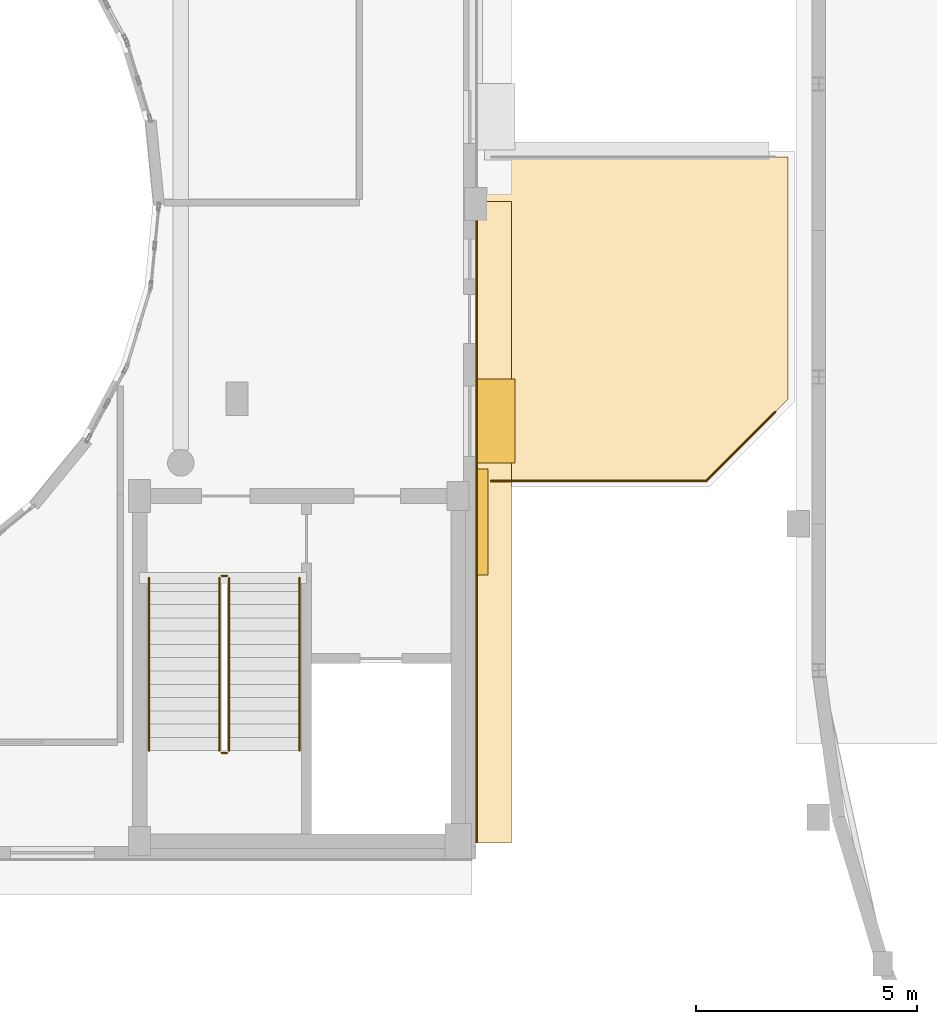
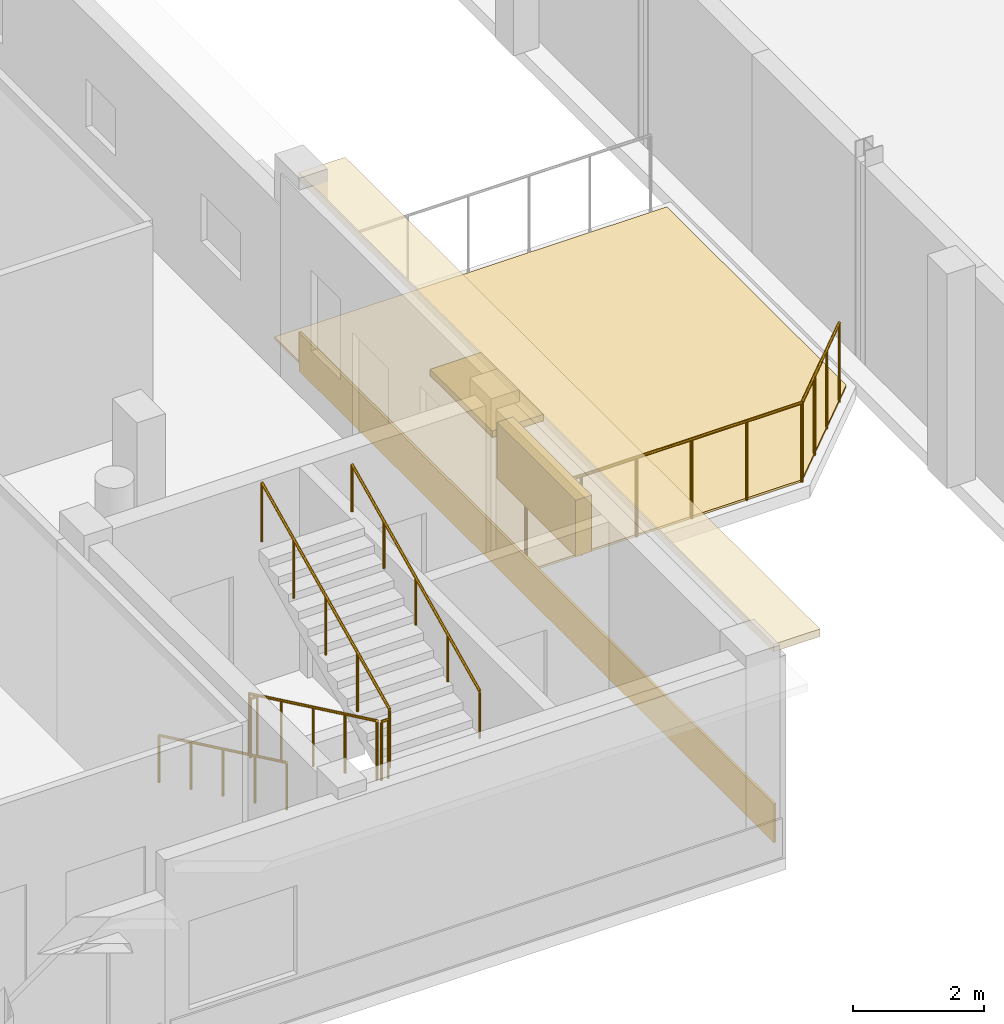
# One storey, part 82 of 89: 7 railings, 3 coverings, 2 shading devices.
"""IFC4 building model written with IfcOpenShell, lengths in metres."""

import ifcopenshell
import ifcopenshell.guid

model = None  # the IFC model being written
_history = None  # IfcOwnerHistory: only IFC2X3 demands one
_inside = {}  # id of a spatial element -> (the spatial element, [elements in it])
_under = {}  # id of a project, library or spatial element -> (it, [spatial elements below it])
_declared = {}  # id of a project -> (the project, [libraries it declares])
_typed = {}  # id of a type object -> (the type object, [elements of that type])
_made_of = {}  # id of a material, layer set ... -> (it, [elements and type objects made of it])


def new_model(schema):
    """Start an empty IFC model of exactly this schema.

    Asked for "IFC4X3", IfcOpenShell would pick the latest addendum, in which some entities
    have other attributes; the version numbers below select the first issue.
    IFC2X3 requires an IfcOwnerHistory on every rooted entity: one is made here for all.
    """
    global model, _history
    if schema == "IFC4X3":
        model = ifcopenshell.file(schema_version=(4, 3, 0, 0))
    else:
        model = ifcopenshell.file(schema=schema)
    _inside.clear()
    _under.clear()
    _declared.clear()
    _typed.clear()
    _made_of.clear()
    _history = None
    if model.schema == "IFC2X3":
        org = make("IfcOrganization", Name="unknown")
        user = make(
            "IfcPersonAndOrganization",
            ThePerson=make("IfcPerson", FamilyName="unknown"),
            TheOrganization=org,
        )
        app = make(
            "IfcApplication",
            ApplicationDeveloper=org,
            Version="unknown",
            ApplicationFullName="unknown",
            ApplicationIdentifier="unknown",
        )
        _history = make(
            "IfcOwnerHistory",
            OwningUser=user,
            OwningApplication=app,
            ChangeAction="ADDED",
            CreationDate=0,
        )
    return model


def make(cls, **values):
    """One entity of the class cls with the attributes given. An attribute that is None is left unset."""
    return model.create_entity(
        cls, **{name: value for name, value in values.items() if value is not None}
    )


def rooted(cls, **values):
    """An entity with a GlobalId (a new one), such as an element, a storey or a relation."""
    return make(cls, GlobalId=ifcopenshell.guid.new(), OwnerHistory=_history, **values)


def si_unit(unit_type, name, prefix=None):
    """IfcSIUnit, for example si_unit("LENGTHUNIT", "METRE", prefix="MILLI")."""
    return make("IfcSIUnit", UnitType=unit_type, Prefix=prefix, Name=name)


def assignment(units):
    """IfcUnitAssignment: the units of a project."""
    return None if units is None else make("IfcUnitAssignment", Units=units)


def point(xyz):
    """IfcCartesianPoint."""
    return None if xyz is None else make("IfcCartesianPoint", Coordinates=xyz)


def direction(xyz):
    """IfcDirection."""
    return None if xyz is None else make("IfcDirection", DirectionRatios=xyz)


def frame(location, z_axis=None, x_axis=None):
    """IfcAxis2Placement3D, a coordinate frame: its origin and axes. An axis left out is left unset."""
    return make(
        "IfcAxis2Placement3D",
        Location=point(location),
        Axis=direction(z_axis),
        RefDirection=direction(x_axis),
    )


def frame_2d(location, x_axis=None):
    """IfcAxis2Placement2D, a coordinate frame in the plane: its origin and x axis."""
    return make(
        "IfcAxis2Placement2D", Location=point(location), RefDirection=direction(x_axis)
    )


def origin():
    """The frame at (0, 0, 0) with its axes left unset."""
    return frame((0.0, 0.0, 0.0))


def origin_2d():
    """The frame at (0, 0) in the plane with its x axis left unset."""
    return frame_2d((0.0, 0.0))


def place(relative_to, where):
    """IfcLocalPlacement: puts the frame where relative to a parent placement (None: the world)."""
    return make(
        "IfcLocalPlacement", PlacementRelTo=relative_to, RelativePlacement=where
    )


def context(
    kind, dimensions, precision=None, world=None, true_north=None, identifier=None
):
    """IfcGeometricRepresentationContext, for example the 3D "Model" context."""
    return make(
        "IfcGeometricRepresentationContext",
        ContextIdentifier=identifier,
        ContextType=kind,
        CoordinateSpaceDimension=dimensions,
        Precision=precision,
        WorldCoordinateSystem=world,
        TrueNorth=true_north,
    )


def subcontext(parent, identifier, kind, view, scale=None):
    """IfcGeometricRepresentationSubContext, for example "Body" below "Model"."""
    return make(
        "IfcGeometricRepresentationSubContext",
        ContextIdentifier=identifier,
        ContextType=kind,
        ParentContext=parent,
        TargetScale=scale,
        TargetView=view,
    )


def project(units=None, contexts=None):
    """IfcProject with its units and contexts."""
    return rooted(
        "IfcProject",
        Name="project",
        RepresentationContexts=contexts,
        UnitsInContext=assignment(units),
    )


def spatial(cls, under=None, at=None, **own):
    """A site, building, storey or space (cls), placed at a placement, below another one or the project."""
    s = rooted(cls, ObjectPlacement=at, **own)
    if under is not None:
        _under.setdefault(under.id(), (under, []))[1].append(s)
    return s


def polyline(points):
    """IfcPolyline through the points."""
    return make("IfcPolyline", Points=[point(p) for p in points])


def profile(cls, at=None, kind="AREA", **sizes):
    """A parametric profile (cls). Its sizes go by their IFC names, for example OverallWidth=200.0."""
    return make(cls, ProfileType=kind, Position=at, **sizes)


def rectangle(**sizes):
    """IfcRectangleProfileDef."""
    return profile("IfcRectangleProfileDef", **sizes)


def circle(**sizes):
    """IfcCircleProfileDef."""
    return profile("IfcCircleProfileDef", **sizes)


def outline(outer, holes=None, kind="AREA"):
    """IfcArbitraryClosedProfileDef: a profile drawn as a closed curve; with holes, ...WithVoids."""
    if holes is None:
        return make("IfcArbitraryClosedProfileDef", ProfileType=kind, OuterCurve=outer)
    return make(
        "IfcArbitraryProfileDefWithVoids",
        ProfileType=kind,
        OuterCurve=outer,
        InnerCurves=holes,
    )


def extrude(swept, where, along, depth):
    """IfcExtrudedAreaSolid: the profile swept, set in the frame where, extruded along a direction by depth."""
    return make(
        "IfcExtrudedAreaSolid",
        SweptArea=swept,
        Position=where,
        ExtrudedDirection=direction(along),
        Depth=depth,
    )


def shape(context_of_items, identifier, shape_type, items):
    """IfcShapeRepresentation: the items that make up one representation, for example the "Body"."""
    return make(
        "IfcShapeRepresentation",
        ContextOfItems=context_of_items,
        RepresentationIdentifier=identifier,
        RepresentationType=shape_type,
        Items=items,
    )


def material(Name=None, Category=None):
    """IfcMaterial."""
    return make("IfcMaterial", Name=Name, Category=Category)


def layer(
    of_material, thickness, ventilated=None, Name=None, Category=None, Priority=None
):
    """IfcMaterialLayer: one layer of a wall or slab, of a material (None: an air gap)."""
    return make(
        "IfcMaterialLayer",
        Material=of_material,
        LayerThickness=thickness,
        IsVentilated=ventilated,
        Name=Name,
        Category=Category,
        Priority=Priority,
    )


def layer_set(layers, Name=None):
    """IfcMaterialLayerSet."""
    return make("IfcMaterialLayerSet", MaterialLayers=layers, LayerSetName=Name)


def made_of(thing, what):
    """Note that an element or type object is made of a material, layer set ...; save() writes the relation."""
    if what is not None:
        _made_of.setdefault(what.id(), (what, []))[1].append(thing)
    return thing


def type_object(cls, material=None, **own):
    """A type object (cls), such as IfcWallType, which elements share."""
    return made_of(rooted(cls, **own), material)


def element(
    cls,
    number,
    at=None,
    inside=None,
    cuts=None,
    type_object=None,
    material=None,
    context=None,
    identifier="Body",
    shape_type=None,
    held_by="IfcProductDefinitionShape",
    body=None,
    shapes=None,
    **own,
):
    """One element of the class cls, such as IfcWall. Its Tag is "e" and its number.

    at: its placement. inside: the storey or other place that contains it. cuts: it is an
    opening in that element (IfcRelVoidsElement). A single representation is given by context,
    identifier, shape_type and body (its items); several are given by shapes. held_by: the class
    of the entity that holds the representations. save() writes the other relations.
    """
    e = rooted(cls, Tag="e%d" % number, ObjectPlacement=at, **own)
    if body is not None:
        shapes = [shape(context, identifier, shape_type, body)]
    if shapes is not None:
        e.Representation = make(held_by, Representations=shapes)
    if inside is not None:
        _inside.setdefault(inside.id(), (inside, []))[1].append(e)
    if cuts is not None:
        rooted(
            "IfcRelVoidsElement", RelatingBuildingElement=cuts, RelatedOpeningElement=e
        )
    if type_object is not None:
        _typed.setdefault(type_object.id(), (type_object, []))[1].append(e)
    return made_of(e, material)


def aggregate(whole, parts):
    """IfcRelAggregates: a whole, such as a stair, and the parts it consists of."""
    return rooted("IfcRelAggregates", RelatingObject=whole, RelatedObjects=parts)


def save(model, path):
    """Write the relations noted so far, then the file.

    IfcRelAggregates (storeys below a building ...), IfcRelContainedInSpatialStructure (elements
    in a storey), IfcRelDefinesByType, IfcRelAssociatesMaterial and IfcRelDeclares: one each for
    every whole, place, type object, material and project.
    """
    for whole, parts in _under.values():
        aggregate(whole, parts)
    for where, things in _inside.values():
        rooted(
            "IfcRelContainedInSpatialStructure",
            RelatedElements=things,
            RelatingStructure=where,
        )
    for kind, things in _typed.values():
        rooted("IfcRelDefinesByType", RelatedObjects=things, RelatingType=kind)
    for what, things in _made_of.values():
        rooted("IfcRelAssociatesMaterial", RelatedObjects=things, RelatingMaterial=what)
    for by, libraries in _declared.values():
        rooted("IfcRelDeclares", RelatingContext=by, RelatedDefinitions=libraries)
    model.write(path)


model = new_model("IFC4")

# Units and contexts
model_context = context("Model", 3, precision=1e-05, world=origin(), true_north=direction((0.0, 1.0)))
body_context = subcontext(model_context, "Body", "Model", "MODEL_VIEW")
ifc_project = project(units=[si_unit("LENGTHUNIT", "METRE"), si_unit("AREAUNIT", "SQUARE_METRE"), si_unit("VOLUMEUNIT", "CUBIC_METRE"), si_unit("PLANEANGLEUNIT", "RADIAN"), si_unit("MASSUNIT", "GRAM", prefix="KILO")], contexts=[model_context])

# Site, building, storey
site_placement = place(None, origin())
site = spatial("IfcSite", under=ifc_project, at=site_placement, CompositionType="ELEMENT")
building_placement = place(site_placement, origin())
building = spatial("IfcBuilding", under=site, at=building_placement, Name="Kelanivale Promenade Academy", CompositionType="ELEMENT")
storey_placement = place(building_placement, frame((0.0, 0.0, 12.199951171875)))
storey = spatial("IfcBuildingStorey", under=building, at=storey_placement, Name="L03", CompositionType="ELEMENT", Elevation=12.199951171875)

# Coverings
ifc_material_1 = material(Name="Warm ivory Art Deco stucco frieze band 40 mm", Category="masonry")
ifc_layer_1 = layer(ifc_material_1, 0.0400390625)
ifc_layer_set_1 = layer_set([ifc_layer_1], Name="Warm ivory Art Deco stucco frieze band 40 mm")
covering_type_1 = type_object("IfcCoveringType", Name="COV-CLD2 Warm ivory Art Deco stucco frieze ba", PredefinedType="CLADDING", material=ifc_layer_set_1)
covering_1_placement = place(storey_placement, frame((116.0, 49.610107421875, 3.6201171875), z_axis=(0.0, 0.0, 1.0), x_axis=(0.0, 1.0, 0.0)))
element("IfcCovering", 1, at=covering_1_placement, inside=storey, type_object=covering_type_1, Name="Art Deco projecting 820 mm streamline sunshade eyebrow ledge", PredefinedType="CLADDING", context=body_context, shape_type="SweptSolid", body=[
    extrude(rectangle(XDim=14.5, YDim=0.820068359375, at=origin_2d()), origin(), (0.0, 0.0, 1.0), 0.139892578125),
])
covering_2_placement = place(storey_placement, frame((115.614990234375, 49.610107421875, 0.06005859375), z_axis=(0.0, 0.0, 1.0), x_axis=(0.0, 1.0, 0.0)))
element("IfcCovering", 2, at=covering_2_placement, inside=storey, type_object=covering_type_1, Name="Art Deco ivory stucco sill frieze band", PredefinedType="CLADDING", context=body_context, shape_type="SweptSolid", body=[
    extrude(rectangle(XDim=14.5, YDim=0.0400390625, at=origin_2d()), origin(), (0.0, 0.0, 1.0), 0.719970703125),
])
ifc_material_2 = material(Name="Impact-absorbing EPDM rooftop Play Deck surfacing 40 mm", Category="masonry")
ifc_layer_2 = layer(ifc_material_2, 0.0400390625)
ifc_layer_set_2 = layer_set([ifc_layer_2], Name="Impact-absorbing EPDM rooftop Play Deck surfacing 40 mm")
covering_type_2 = type_object("IfcCoveringType", Name="COV-FLR3 Impact-absorbing EPDM rooftop Play D", PredefinedType="FLOORING", material=ifc_layer_set_2)
covering_3_placement = place(storey_placement, origin())
element("IfcCovering", 3, at=covering_3_placement, inside=storey, type_object=covering_type_2, Name="Assembly Hall Shoulder Observation Deck EPDM safety surfacing", PredefinedType="FLOORING", context=body_context, shape_type="SweptSolid", body=[
    extrude(outline(polyline([(120.81298828125, 50.5400390625), (122.659912109375, 52.386962890625), (122.659912109375, 57.860107421875), (115.739990234375, 57.860107421875), (115.739990234375, 50.5400390625), (120.81298828125, 50.5400390625)])), origin(), (0.0, 0.0, 1.0), 0.0400390625),
])

# Railings
ifc_material_3 = material(Name="Brushed stainless steel grade 316", Category="steel")
railing_type_1 = type_object("IfcRailingType", Name="GR-01 Stair Guard 1100mm", PredefinedType="BALUSTRADE", material=ifc_material_3)
railing_1_placement = place(storey_placement, frame((109.804931640625, 48.344970703125, 0.142822265625)))
element("IfcRailing", 4, at=railing_1_placement, inside=storey, type_object=railing_type_1, Name="L03 ST-03 stair guard 1", PredefinedType="BALUSTRADE", context=body_context, shape_type="SweptSolid", body=[
    extrude(circle(Radius=0.02392578125, at=origin_2d()), frame((0.0, 0.0, 1.09619140625), z_axis=(0.0, -0.902853205547, 0.429948937937), x_axis=(1.0, 0.0, 0.0)), (0.0, 0.0, 1.0), 4.319580078125),
    extrude(circle(Radius=0.02099609375, at=origin_2d()), origin(), (0.0, 0.0, 1.0), 1.072021484375),
    extrude(circle(Radius=0.02099609375, at=origin_2d()), frame((0.0, -0.97509765625, 0.46435546875)), (0.0, 0.0, 1.0), 1.072021484375),
    extrude(circle(Radius=0.02099609375, at=origin_2d()), frame((0.0, -1.949951171875, 0.9287109375)), (0.0, 0.0, 1.0), 1.072021484375),
    extrude(circle(Radius=0.02099609375, at=origin_2d()), frame((0.0, -2.9248046875, 1.392822265625)), (0.0, 0.0, 1.0), 1.072021484375),
    extrude(circle(Radius=0.02099609375, at=origin_2d()), frame((0.0, -3.89990234375, 1.857177734375)), (0.0, 0.0, 1.0), 1.072021484375),
])
railing_2_placement = place(storey_placement, frame((109.85498046875, 44.39501953125, 2.0)))
element("IfcRailing", 5, at=railing_2_placement, inside=storey, type_object=railing_type_1, Name="L03 ST-03 stair guard 2", PredefinedType="BALUSTRADE", context=body_context, shape_type="SweptSolid", body=[
    extrude(circle(Radius=0.02392578125, at=origin_2d()), frame((0.0, 0.0, 1.09619140625), z_axis=(1.0, 0.0, 0.0), x_axis=(0.0, 1.0, 0.0)), (0.0, 0.0, 1.0), 0.1201171875),
    extrude(circle(Radius=0.02099609375, at=origin_2d()), origin(), (0.0, 0.0, 1.0), 1.072021484375),
    extrude(circle(Radius=0.02099609375, at=origin_2d()), frame((0.1201171875, 0.0, 0.0)), (0.0, 0.0, 1.0), 1.072021484375),
])
railing_3_placement = place(storey_placement, frame((110.02490234375, 44.445068359375, 2.142822265625)))
element("IfcRailing", 6, at=railing_3_placement, inside=storey, type_object=railing_type_1, Name="L03 ST-03 stair guard 3", PredefinedType="BALUSTRADE", context=body_context, shape_type="SweptSolid", body=[
    extrude(circle(Radius=0.02392578125, at=origin_2d()), frame((0.0, 0.0, 1.09619140625), z_axis=(0.0, 0.902853205547, 0.429948937937), x_axis=(-1.0, 0.0, 0.0)), (0.0, 0.0, 1.0), 4.319580078125),
    extrude(circle(Radius=0.02099609375, at=origin_2d()), origin(), (0.0, 0.0, 1.0), 1.072021484375),
    extrude(circle(Radius=0.02099609375, at=origin_2d()), frame((0.0, 0.97509765625, 0.46435546875)), (0.0, 0.0, 1.0), 1.072021484375),
    extrude(circle(Radius=0.02099609375, at=origin_2d()), frame((0.0, 1.949951171875, 0.9287109375)), (0.0, 0.0, 1.0), 1.072021484375),
    extrude(circle(Radius=0.02099609375, at=origin_2d()), frame((0.0, 2.9248046875, 1.392822265625)), (0.0, 0.0, 1.0), 1.072021484375),
    extrude(circle(Radius=0.02099609375, at=origin_2d()), frame((0.0, 3.89990234375, 1.857177734375)), (0.0, 0.0, 1.0), 1.072021484375),
])
railing_4_placement = place(storey_placement, frame((109.85498046875, 48.39501953125, 0.0)))
element("IfcRailing", 7, at=railing_4_placement, inside=storey, type_object=railing_type_1, Name="L03 ST-03 stair guard 4", PredefinedType="BALUSTRADE", context=body_context, shape_type="SweptSolid", body=[
    extrude(circle(Radius=0.02392578125, at=origin_2d()), frame((0.0, 0.0, 1.09619140625), z_axis=(1.0, 0.0, 0.0), x_axis=(0.0, 1.0, 0.0)), (0.0, 0.0, 1.0), 0.1201171875),
    extrude(circle(Radius=0.02099609375, at=origin_2d()), origin(), (0.0, 0.0, 1.0), 1.072021484375),
    extrude(circle(Radius=0.02099609375, at=origin_2d()), frame((0.1201171875, 0.0, 0.0)), (0.0, 0.0, 1.0), 1.072021484375),
])
ifc_material_4 = material(Name="Powder-coated galvanized steel and stainless top rail", Category="steel")
railing_type_2 = type_object("IfcRailingType", Name="GR-02 Play Deck Balustrade 1500mm", PredefinedType="BALUSTRADE", material=ifc_material_4)
railing_5_placement = place(storey_placement, frame((122.3701171875, 52.096923828125, 0.0)))
element("IfcRailing", 8, at=railing_5_placement, inside=storey, type_object=railing_type_2, Name="Assembly Hall Shoulder Observation Deck 1500 mm safety balustrade", PredefinedType="BALUSTRADE", context=body_context, shape_type="SweptSolid", body=[
    extrude(circle(Radius=0.02392578125, at=origin_2d()), frame((0.0, 0.0, 1.47607421875), z_axis=(-0.707162216628, -0.707051341398, 0.0), x_axis=(0.707051341398, -0.707162216628, 0.0)), (0.0, 0.0, 1.0), 2.201904296875),
    extrude(circle(Radius=0.02392578125, at=origin_2d()), frame((-1.55712890625, -1.556884765625, 1.47607421875), z_axis=(-1.0, 0.0, 0.0), x_axis=(0.0, -1.0, 0.0)), (0.0, 0.0, 1.0), 4.863037109375),
    extrude(circle(Radius=0.02099609375, at=origin_2d()), origin(), (0.0, 0.0, 1.0), 1.451904296875),
    extrude(circle(Radius=0.02099609375, at=origin_2d()), frame((-0.51904296875, -0.51904296875, 0.0)), (0.0, 0.0, 1.0), 1.451904296875),
    extrude(circle(Radius=0.02099609375, at=origin_2d()), frame((-1.0380859375, -1.037841796875, 0.0)), (0.0, 0.0, 1.0), 1.451904296875),
    extrude(circle(Radius=0.02099609375, at=origin_2d()), frame((-1.55712890625, -1.556884765625, 0.0)), (0.0, 0.0, 1.0), 1.451904296875),
    extrude(circle(Radius=0.02099609375, at=origin_2d()), frame((-2.52978515625, -1.556884765625, 0.0)), (0.0, 0.0, 1.0), 1.451904296875),
    extrude(circle(Radius=0.02099609375, at=origin_2d()), frame((-3.50244140625, -1.556884765625, 0.0)), (0.0, 0.0, 1.0), 1.451904296875),
    extrude(circle(Radius=0.02099609375, at=origin_2d()), frame((-4.474853515625, -1.556884765625, 0.0)), (0.0, 0.0, 1.0), 1.451904296875),
    extrude(circle(Radius=0.02099609375, at=origin_2d()), frame((-5.447509765625, -1.556884765625, 0.0)), (0.0, 0.0, 1.0), 1.451904296875),
    extrude(circle(Radius=0.02099609375, at=origin_2d()), frame((-6.420166015625, -1.556884765625, 0.0)), (0.0, 0.0, 1.0), 1.451904296875),
])
railing_type_3 = type_object("IfcRailingType", Name="HR-01 Pitch Handrail 900mm", PredefinedType="HANDRAIL", material=ifc_material_3)
railing_6_placement = place(storey_placement, frame((108.215087890625, 48.344970703125, 0.142822265625)))
element("IfcRailing", 9, at=railing_6_placement, inside=storey, type_object=railing_type_3, Name="L03 ST-03 stair handrail 1", PredefinedType="HANDRAIL", context=body_context, shape_type="SweptSolid", body=[
    extrude(circle(Radius=0.02392578125, at=origin_2d()), frame((0.0, 0.0, 0.8759765625), z_axis=(0.0, -0.902853205547, 0.429948937937), x_axis=(1.0, 0.0, 0.0)), (0.0, 0.0, 1.0), 4.319580078125),
    extrude(circle(Radius=0.02099609375, at=origin_2d()), origin(), (0.0, 0.0, 1.0), 0.851806640625),
    extrude(circle(Radius=0.02099609375, at=origin_2d()), frame((0.0, -0.97509765625, 0.46435546875)), (0.0, 0.0, 1.0), 0.851806640625),
    extrude(circle(Radius=0.02099609375, at=origin_2d()), frame((0.0, -1.949951171875, 0.9287109375)), (0.0, 0.0, 1.0), 0.851806640625),
    extrude(circle(Radius=0.02099609375, at=origin_2d()), frame((0.0, -2.9248046875, 1.392822265625)), (0.0, 0.0, 1.0), 0.851806640625),
    extrude(circle(Radius=0.02099609375, at=origin_2d()), frame((0.0, -3.89990234375, 1.857177734375)), (0.0, 0.0, 1.0), 0.851806640625),
])
railing_7_placement = place(storey_placement, frame((111.614990234375, 44.445068359375, 2.142822265625)))
element("IfcRailing", 10, at=railing_7_placement, inside=storey, type_object=railing_type_3, Name="L03 ST-03 stair handrail 2", PredefinedType="HANDRAIL", context=body_context, shape_type="SweptSolid", body=[
    extrude(circle(Radius=0.02392578125, at=origin_2d()), frame((0.0, 0.0, 0.8759765625), z_axis=(0.0, 0.902853205547, 0.429948937937), x_axis=(-1.0, 0.0, 0.0)), (0.0, 0.0, 1.0), 4.319580078125),
    extrude(circle(Radius=0.02099609375, at=origin_2d()), origin(), (0.0, 0.0, 1.0), 0.851806640625),
    extrude(circle(Radius=0.02099609375, at=origin_2d()), frame((0.0, 0.97509765625, 0.46435546875)), (0.0, 0.0, 1.0), 0.851806640625),
    extrude(circle(Radius=0.02099609375, at=origin_2d()), frame((0.0, 1.949951171875, 0.9287109375)), (0.0, 0.0, 1.0), 0.851806640625),
    extrude(circle(Radius=0.02099609375, at=origin_2d()), frame((0.0, 2.9248046875, 1.392822265625)), (0.0, 0.0, 1.0), 0.851806640625),
    extrude(circle(Radius=0.02099609375, at=origin_2d()), frame((0.0, 3.89990234375, 1.857177734375)), (0.0, 0.0, 1.0), 0.851806640625),
])

# Shading devices
ifc_material_5 = material(Name="Precast concrete C40/50", Category="concrete")
ifc_layer_3 = layer(ifc_material_5, 0.1201171875)
ifc_layer_set_3 = layer_set([ifc_layer_3], Name="Precast concrete C40/50")
shading_device_type_1 = type_object("IfcShadingDeviceType", Name="SHD-01 Art Deco Sunshade Eyebrow 900mm", PredefinedType="USERDEFINED", material=ifc_layer_set_3)
shading_device_1_placement = place(storey_placement, frame((116.0400390625, 51.89208984375, 2.409912109375), z_axis=(0.0, 0.0, 1.0), x_axis=(0.0, 1.0, 0.0)))
element("IfcShadingDevice", 11, at=shading_device_1_placement, inside=storey, type_object=shading_device_type_1, Name="Art Deco 900 mm precast chajja window sunshade", ObjectType="SUNSHADE", PredefinedType="USERDEFINED", context=body_context, shape_type="SweptSolid", body=[
    extrude(rectangle(XDim=1.89990234375, YDim=0.89990234375, at=origin_2d()), origin(), (0.0, 0.0, 1.0), 0.1201171875),
])
ifc_material_6 = material(Name="Bronze anodised aluminium EN AW-6063 T6", Category="aluminium")
ifc_layer_4 = layer(ifc_material_6, 0.080078125)
ifc_layer_set_4 = layer_set([ifc_layer_4], Name="Bronze anodised aluminium EN AW-6063 T6")
shading_device_type_2 = type_object("IfcShadingDeviceType", Name="SHD-02 Perforated Brise-Soleil Screen", PredefinedType="JALOUSIE", material=ifc_layer_set_4)
shading_device_2_placement = place(storey_placement, frame((115.735107421875, 49.610107421875, 1.72509765625), z_axis=(0.0, 0.0, 1.0), x_axis=(0.0, 1.0, 0.0)))
element("IfcShadingDevice", 12, at=shading_device_2_placement, inside=storey, type_object=shading_device_type_2, Name="Perforated Art Deco brise-soleil louvre screen", PredefinedType="JALOUSIE", context=body_context, shape_type="SweptSolid", body=[
    extrude(rectangle(XDim=2.39990234375, YDim=0.280029296875, at=origin_2d()), origin(), (0.0, 0.0, 1.0), 1.050048828125),
])

save(model, "model.ifc")
